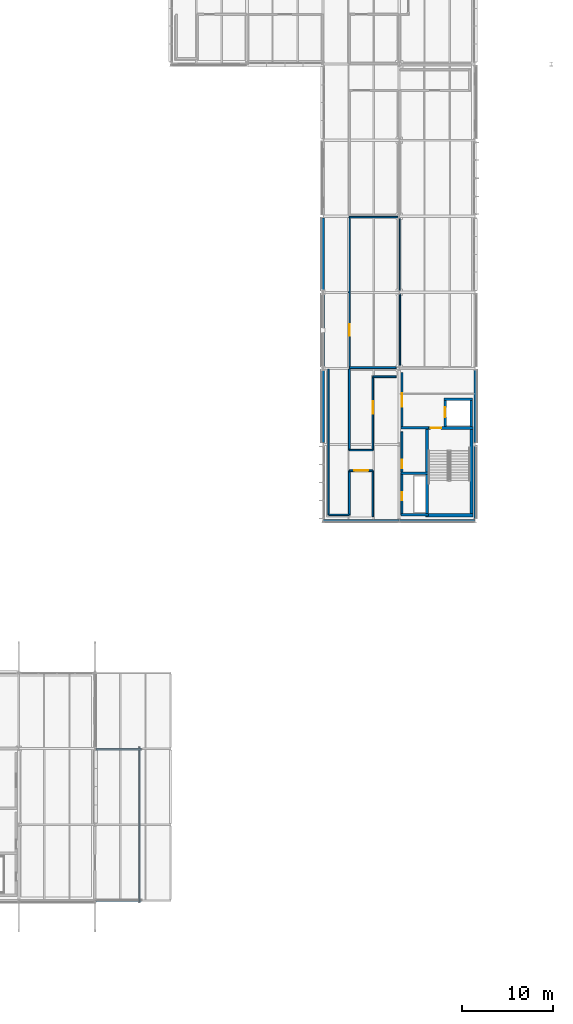
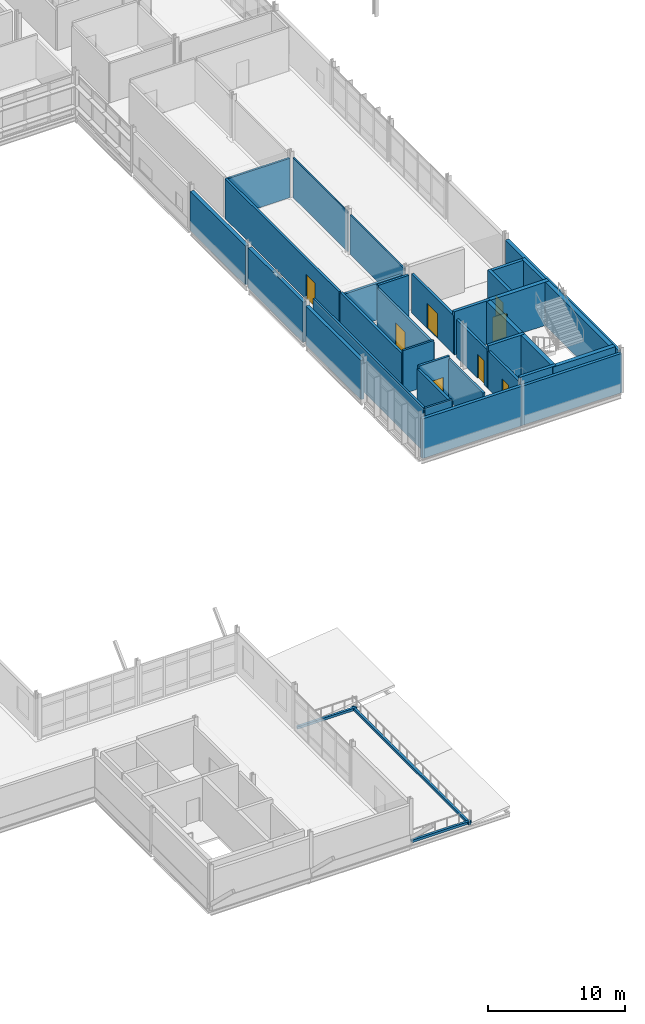
# One storey, part 111 of 131: 37 walls, 8 doors, 8 openings.
"""IFC4 building model written with IfcOpenShell, lengths in metres."""

from ifc_helpers import new_model, si_unit, direction, frame, frame_2d, origin, place, context, subcontext, project, spatial, rectangle, extrude, material, layer, layer_set, type_object, element, fill, save


model = new_model("IFC4")

# Units and contexts
model_context = context("Model", 3, precision=1e-05, world=origin(), true_north=direction((0.0, 1.0)))
body_context = subcontext(model_context, "Body", "Model", "MODEL_VIEW")
ifc_project = project(units=[si_unit("LENGTHUNIT", "METRE"), si_unit("AREAUNIT", "SQUARE_METRE"), si_unit("VOLUMEUNIT", "CUBIC_METRE"), si_unit("PLANEANGLEUNIT", "RADIAN"), si_unit("MASSUNIT", "GRAM", prefix="KILO")], contexts=[model_context])

# Site, building, storey
site_placement = place(None, origin())
site = spatial("IfcSite", under=ifc_project, at=site_placement, CompositionType="ELEMENT")
building_placement = place(site_placement, origin())
building = spatial("IfcBuilding", under=site, at=building_placement, Name="Mersafa Astral City Hall", CompositionType="ELEMENT")
storey_placement = place(building_placement, frame((0.0, 0.0, 13.949951171875)))
storey = spatial("IfcBuildingStorey", under=building, at=storey_placement, Name="L03", CompositionType="ELEMENT", Elevation=13.949951171875)

# Walls
ifc_material_1 = material(Name="Precast concrete C40/50 insulated terracotta spandrel", Category="masonry")
ifc_layer_1 = layer(ifc_material_1, 0.235107421875, Name="Precast concrete C40/50 insulated terracotta spandrel")
ifc_layer_set_1 = layer_set([ifc_layer_1], Name="Precast concrete C40/50 insulated terracotta spandrel — ENV-WAL-EXT-235")
wall_type_1 = type_object("IfcWallType", Name="ENV-WAL-EXT-235", PredefinedType="STANDARD", material=ifc_layer_set_1)
wall_1_placement = place(storey_placement, frame((176.39990234375, 50.595947265625, 0.0), z_axis=(0.0, 0.0, 1.0), x_axis=(0.0, 1.0, 0.0)))
element("IfcWall", 1, at=wall_1_placement, inside=storey, type_object=wall_type_1, Name="L03 Limestone-clad exterior wall 245", PredefinedType="STANDARD", context=body_context, shape_type="SweptSolid", body=[
    extrude(rectangle(XDim=8.008056640625, YDim=0.235107421875, at=frame_2d((4.00390625, 0.0))), origin(), (0.0, 0.0, 1.0), 3.5771484375),
])
ifc_layer_2 = layer(ifc_material_1, 0.25, Name="Precast concrete C40/50 insulated terracotta spandrel")
ifc_layer_set_2 = layer_set([ifc_layer_2], Name="Precast concrete C40/50 insulated terracotta spandrel — ENV-WAL-EXT-250")
wall_type_2 = type_object("IfcWallType", Name="ENV-WAL-EXT-250", PredefinedType="STANDARD", material=ifc_layer_set_2)
wall_2_placement = place(storey_placement, frame((168.008056640625, 50.39990234375, 0.0), z_axis=(0.0, 0.0, 1.0), x_axis=(1.0, 0.0, 0.0)))
element("IfcWall", 2, at=wall_2_placement, inside=storey, type_object=wall_type_2, Name="L03 Limestone-clad exterior wall 244", PredefinedType="STANDARD", context=body_context, shape_type="SweptSolid", body=[
    extrude(rectangle(XDim=8.384033203125, YDim=0.25, at=frame_2d((4.19189453125, 0.0))), origin(), (0.0, 0.0, 1.0), 3.487060546875),
])
ifc_material_2 = material(Name="Precast concrete C40/50 insulated limestone wall", Category="masonry")
ifc_layer_3 = layer(ifc_material_2, 0.264892578125, Name="Precast concrete C40/50 insulated limestone wall")
ifc_layer_set_3 = layer_set([ifc_layer_3], Name="Precast concrete C40/50 insulated limestone wall — ENV-WAL-EXT-265")
wall_type_3 = type_object("IfcWallType", Name="ENV-WAL-EXT-265", PredefinedType="STANDARD", material=ifc_layer_set_3)
wall_3_placement = place(storey_placement, frame((159.60791015625, 50.39990234375, 0.0), z_axis=(0.0, 0.0, 1.0), x_axis=(1.0, 0.0, 0.0)))
element("IfcWall", 3, at=wall_3_placement, inside=storey, type_object=wall_type_3, Name="L03 Limestone-clad exterior wall 243", PredefinedType="STANDARD", context=body_context, shape_type="SweptSolid", body=[
    extrude(rectangle(XDim=8.384033203125, YDim=0.264892578125, at=frame_2d((4.19189453125, 0.0))), origin(), (0.0, 0.0, 1.0), 3.51708984375),
])
ifc_layer_4 = layer(ifc_material_2, 0.280029296875, Name="Precast concrete C40/50 insulated limestone wall")
ifc_layer_set_4 = layer_set([ifc_layer_4], Name="Precast concrete C40/50 insulated limestone wall — ENV-WAL-EXT-280")
wall_type_4 = type_object("IfcWallType", Name="ENV-WAL-EXT-280", PredefinedType="STANDARD", material=ifc_layer_set_4)
wall_4_placement = place(storey_placement, frame((159.60009765625, 67.00390625, 0.0), z_axis=(0.0, 0.0, 1.0), x_axis=(0.0, -1.0, 0.0)))
element("IfcWall", 4, at=wall_4_placement, inside=storey, type_object=wall_type_4, Name="L03 Limestone-clad exterior wall 242", PredefinedType="STANDARD", context=body_context, shape_type="SweptSolid", body=[
    extrude(rectangle(XDim=8.0078125, YDim=0.280029296875, at=frame_2d((4.00390625, 0.0))), origin(), (0.0, 0.0, 1.0), 3.487060546875),
])
ifc_layer_5 = layer(ifc_material_2, 0.294921875, Name="Precast concrete C40/50 insulated limestone wall")
ifc_layer_set_5 = layer_set([ifc_layer_5], Name="Precast concrete C40/50 insulated limestone wall — ENV-WAL-EXT-295")
wall_type_5 = type_object("IfcWallType", Name="ENV-WAL-EXT-295", PredefinedType="STANDARD", material=ifc_layer_set_5)
wall_5_placement = place(storey_placement, frame((159.60009765625, 75.404052734375, 0.0), z_axis=(0.0, 0.0, 1.0), x_axis=(0.0, -1.0, 0.0)))
element("IfcWall", 5, at=wall_5_placement, inside=storey, type_object=wall_type_5, Name="L03 Limestone-clad exterior wall 241", PredefinedType="STANDARD", context=body_context, shape_type="SweptSolid", body=[
    extrude(rectangle(XDim=8.008056640625, YDim=0.294921875, at=frame_2d((4.00390625, 0.0))), origin(), (0.0, 0.0, 1.0), 3.5771484375),
])
ifc_layer_6 = layer(ifc_material_2, 0.31005859375, Name="Precast concrete C40/50 insulated limestone wall")
ifc_layer_set_6 = layer_set([ifc_layer_6], Name="Precast concrete C40/50 insulated limestone wall — ENV-WAL-EXT-310")
wall_type_6 = type_object("IfcWallType", Name="ENV-WAL-EXT-310", PredefinedType="STANDARD", material=ifc_layer_set_6)
wall_6_placement = place(storey_placement, frame((159.60009765625, 83.833984375, 0.0), z_axis=(0.0, 0.0, 1.0), x_axis=(0.0, -1.0, 0.0)))
element("IfcWall", 6, at=wall_6_placement, inside=storey, type_object=wall_type_6, Name="L03 Limestone-clad exterior wall 240", PredefinedType="STANDARD", context=body_context, shape_type="SweptSolid", body=[
    extrude(rectangle(XDim=8.0380859375, YDim=0.31005859375, at=frame_2d((4.01904296875, 0.0))), origin(), (0.0, 0.0, 1.0), 3.487060546875),
])
wall_7_placement = place(storey_placement, frame((176.39990234375, 58.99609375, 0.0), z_axis=(0.0, 0.0, 1.0), x_axis=(0.0, 1.0, 0.0)))
element("IfcWall", 7, at=wall_7_placement, inside=storey, type_object=wall_type_6, Name="L03 Limestone-clad exterior wall 246", PredefinedType="STANDARD", context=body_context, shape_type="SweptSolid", body=[
    extrude(rectangle(XDim=8.0078125, YDim=0.31005859375, at=frame_2d((4.00390625, 0.0))), origin(), (0.0, 0.0, 1.0), 3.487060546875),
])
ifc_material_3 = material(Name="Precast concrete C40/50 parapet", Category="concrete")
ifc_layer_7 = layer(ifc_material_3, 0.199951171875, Name="Precast concrete C40/50 parapet")
ifc_layer_set_7 = layer_set([ifc_layer_7], Name="Precast concrete C40/50 parapet — ENV-WAL-PAR-200")
wall_type_7 = type_object("IfcWallType", Name="ENV-WAL-PAR-200", PredefinedType="PARAPET", material=ifc_layer_set_7)
for number, where, z_axis, x_axis, name in (
    (8, (139.5400390625, 25.1298828125, 0.0), (0.0, 0.0, 1.0), (-1.0, 0.0, 0.0), "L03 Terrace stone kerb parapet 3"),
    (9, (134.5400390625, 8.469970703125, 0.0), (0.0, 0.0, 1.0), (1.0, 0.0, 0.0), "L03 Terrace stone kerb parapet 4"),
):
    element("IfcWall", number, at=place(storey_placement, frame(where, z_axis=z_axis, x_axis=x_axis)), inside=storey, type_object=wall_type_7, Name=name, PredefinedType="PARAPET", context=body_context, shape_type="SweptSolid", body=[
        extrude(rectangle(XDim=5.0, YDim=0.199951171875, at=frame_2d((2.5, 0.0))), origin(), (0.0, 0.0, 1.0), 0.219970703125),
    ])
wall_8_placement = place(storey_placement, frame((139.330078125, 8.260009765625, 0.0), z_axis=(0.0, 0.0, 1.0), x_axis=(0.0, 1.0, 0.0)))
element("IfcWall", 10, at=wall_8_placement, inside=storey, type_object=wall_type_7, Name="L03 Terrace stone kerb parapet 5", PredefinedType="PARAPET", context=body_context, shape_type="SweptSolid", body=[
    extrude(rectangle(XDim=17.080078125, YDim=0.199951171875, at=frame_2d((8.5400390625, 0.0))), origin(), (0.0, 0.0, 1.0), 0.219970703125),
])
ifc_material_4 = material(Name="Concrete C40/50", Category="concrete")
ifc_layer_8 = layer(ifc_material_4, 0.260009765625, Name="Concrete C40/50")
ifc_layer_set_8 = layer_set([ifc_layer_8], Name="Concrete C40/50 — INT-WAL-CORE-260")
wall_type_8 = type_object("IfcWallType", Name="INT-WAL-CORE-260", PredefinedType="SHEAR", material=ifc_layer_set_8)
wall_9_placement = place(storey_placement, frame((172.955078125, 63.784912109375, 0.0), z_axis=(0.0, 0.0, 1.0), x_axis=(1.0, 0.0, 0.0)))
element("IfcWall", 11, at=wall_9_placement, inside=storey, type_object=wall_type_8, Name="L03 Lift LF6 north shaft wall", PredefinedType="SHEAR", context=body_context, shape_type="SweptSolid", body=[
    extrude(rectangle(XDim=3.1298828125, YDim=0.260009765625, at=frame_2d((1.56494140625, 0.0))), origin(), (0.0, 0.0, 1.0), 3.85009765625),
])
wall_10_placement = place(storey_placement, frame((175.955078125, 60.797119140625, 0.0), z_axis=(0.0, 0.0, 1.0), x_axis=(0.0, 1.0, 0.0)))
element("IfcWall", 12, at=wall_10_placement, inside=storey, type_object=wall_type_8, Name="L03 Lift LF6 back shaft wall", PredefinedType="SHEAR", context=body_context, shape_type="SweptSolid", body=[
    extrude(rectangle(XDim=3.117919921875, YDim=0.260009765625, at=frame_2d((1.55908203125, 0.0))), origin(), (0.0, 0.0, 1.0), 3.85009765625),
])

# Wall, opening, door
wall_11_placement = place(storey_placement, frame((173.0849609375, 60.797119140625, 0.0), z_axis=(0.0, 0.0, 1.0), x_axis=(0.0, 1.0, 0.0)))
wall_11 = element("IfcWall", 13, at=wall_11_placement, inside=storey, type_object=wall_type_8, Name="L03 Lift LF6 front shaft wall", PredefinedType="SHEAR", context=body_context, shape_type="SweptSolid", body=[
    extrude(rectangle(XDim=3.117919921875, YDim=0.260009765625, at=frame_2d((1.55908203125, 0.0))), origin(), (0.0, 0.0, 1.0), 3.85009765625),
])
opening_1_placement = place(wall_11_placement, frame((1.009033203125, 0.0, 0.0)))
opening_1 = element("IfcOpeningElement", 14, at=opening_1_placement, cuts=wall_11, Name="Opening LD-1", PredefinedType="OPENING", context=body_context, shape_type="SweptSolid", body=[
    extrude(rectangle(XDim=1.10009765625, YDim=2.14990234375, at=frame_2d((0.550048828125, 1.074951171875))), frame((0.0, 0.139892578125, 0.0), z_axis=(0.0, -1.0, 0.0), x_axis=(1.0, 0.0, 0.0)), (0.0, 0.0, 1.0), 0.280029296875),
])
ifc_material_5 = material(Name="Stainless steel sliding lift landing door", Category="steel")
door_type_1 = type_object("IfcDoorType", Name="INT-DR-LIFT-LD1", OperationType="NOTDEFINED", PredefinedType="DOOR", material=ifc_material_5)
door_1_placement = place(opening_1_placement, origin())
door_1 = element("IfcDoor", 15, at=door_1_placement, inside=storey, type_object=door_type_1, Name="Elevator LF6 Sliding Landing Door L03", OperationType="DOUBLE_DOOR_SLIDING", OverallHeight=2.14990234375, OverallWidth=1.10009765625, PredefinedType="DOOR", context=body_context, shape_type="SweptSolid", body=[
    extrude(rectangle(XDim=1.10009765625, YDim=2.14990234375, at=frame_2d((0.550048828125, 1.074951171875))), frame((0.0, 0.02490234375, 0.0), z_axis=(0.0, -1.0, 0.0), x_axis=(1.0, 0.0, 0.0)), (0.0, 0.0, 1.0), 0.050048828125),
])
fill(opening_1, door_1)

# Walls
for number, where, z_axis, x_axis, name in (
    (16, (168.199951171875, 51.02001953125, 0.0), (0.0, 0.0, 1.0), (1.0, 0.0, 0.0), "L03 Core K4 riser south wall"),
    (17, (168.199951171875, 55.635009765625, 0.0), (0.0, 0.0, 1.0), (1.0, 0.0, 0.0), "L03 Core K4 riser-restroom divider wall"),
    (18, (168.199951171875, 60.635009765625, 0.0), (0.0, 0.0, 1.0), (1.0, 0.0, 0.0), "L03 Core K4 restroom-lobby divider wall"),
):
    element("IfcWall", number, at=place(storey_placement, frame(where, z_axis=z_axis, x_axis=x_axis)), inside=storey, type_object=wall_type_8, Name=name, PredefinedType="SHEAR", context=body_context, shape_type="SweptSolid", body=[
        extrude(rectangle(XDim=3.03515625, YDim=0.260009765625, at=frame_2d((1.517578125, 0.0))), origin(), (0.0, 0.0, 1.0), 3.85009765625),
    ])
ifc_layer_9 = layer(ifc_material_4, 0.340087890625, Name="Concrete C40/50")
ifc_layer_set_9 = layer_set([ifc_layer_9], Name="Concrete C40/50 — INT-WAL-CORE-340")
wall_type_9 = type_object("IfcWallType", Name="INT-WAL-CORE-340", PredefinedType="SHEAR", material=ifc_layer_set_9)
for number, where, z_axis, x_axis, name in (
    (19, (171.0849609375, 50.804931640625, 0.0), (0.0, 0.0, 1.0), (0.0, 1.0, 0.0), "L03 Core K4 stair west shear wall"),
    (20, (175.9951171875, 50.804931640625, 0.0), (0.0, 0.0, 1.0), (0.0, 1.0, 0.0), "L03 Core K4 stair east shear wall"),
):
    element("IfcWall", number, at=place(storey_placement, frame(where, z_axis=z_axis, x_axis=x_axis)), inside=storey, type_object=wall_type_9, Name=name, PredefinedType="SHEAR", context=body_context, shape_type="SweptSolid", body=[
        extrude(rectangle(XDim=9.989990234375, YDim=0.340087890625, at=frame_2d((4.9951171875, 0.0))), origin(), (0.0, 0.0, 1.0), 3.85009765625),
    ])
wall_12_placement = place(storey_placement, frame((170.9150390625, 50.97509765625, 0.0), z_axis=(0.0, 0.0, 1.0), x_axis=(1.0, 0.0, 0.0)))
element("IfcWall", 21, at=wall_12_placement, inside=storey, type_object=wall_type_9, Name="L03 Core K4 stair south shear wall", PredefinedType="SHEAR", context=body_context, shape_type="SweptSolid", body=[
    extrude(rectangle(XDim=5.25, YDim=0.340087890625, at=frame_2d((2.625, 0.0))), origin(), (0.0, 0.0, 1.0), 3.85009765625),
])

# Wall, opening, door
wall_13_placement = place(storey_placement, frame((170.9150390625, 60.625, 0.0), z_axis=(0.0, 0.0, 1.0), x_axis=(1.0, 0.0, 0.0)))
wall_13 = element("IfcWall", 22, at=wall_13_placement, inside=storey, type_object=wall_type_9, Name="L03 Core K4 stair-lobby fire wall", PredefinedType="SHEAR", context=body_context, shape_type="SweptSolid", body=[
    extrude(rectangle(XDim=5.25, YDim=0.340087890625, at=frame_2d((2.625, 0.0))), origin(), (0.0, 0.0, 1.0), 3.85009765625),
])
opening_2_placement = place(wall_13_placement, frame((0.56494140625, 0.0, 0.0)))
opening_2 = element("IfcOpeningElement", 23, at=opening_2_placement, cuts=wall_13, Name="Opening CD-1", PredefinedType="OPENING", context=body_context, shape_type="SweptSolid", body=[
    extrude(rectangle(XDim=1.14990234375, YDim=2.14990234375, at=frame_2d((0.574951171875, 1.074951171875))), frame((0.0, 0.179931640625, 0.0), z_axis=(0.0, -1.0, 0.0), x_axis=(1.0, 0.0, 0.0)), (0.0, 0.0, 1.0), 0.360107421875),
])
ifc_material_6 = material(Name="Fire-rated steel stair door", Category="steel")
door_type_2 = type_object("IfcDoorType", Name="INT-DR-STAIR-FD90-1150", OperationType="NOTDEFINED", PredefinedType="DOOR", material=ifc_material_6)
door_2_placement = place(opening_2_placement, origin())
door_2 = element("IfcDoor", 24, at=door_2_placement, inside=storey, type_object=door_type_2, Name="L03 Protected Stair ST4 Door", OperationType="SINGLE_SWING_LEFT", OverallHeight=2.14990234375, OverallWidth=1.14990234375, PredefinedType="DOOR", context=body_context, shape_type="SweptSolid", body=[
    extrude(rectangle(XDim=1.14990234375, YDim=2.14990234375, at=frame_2d((0.574951171875, 1.074951171875))), frame((0.0, 0.02490234375, 0.0), z_axis=(0.0, -1.0, 0.0), x_axis=(1.0, 0.0, 0.0)), (0.0, 0.0, 1.0), 0.050048828125),
])
fill(opening_2, door_2)

# Walls
ifc_material_7 = material(Name="Acoustic steel-stud gypsum partition", Category="steel")
ifc_layer_10 = layer(ifc_material_7, 0.1201171875, Name="Acoustic steel-stud gypsum partition")
ifc_layer_set_10 = layer_set([ifc_layer_10], Name="Acoustic steel-stud gypsum partition — INT-WAL-PART-EI30-120")
wall_type_10 = type_object("IfcWallType", Name="INT-WAL-PART-EI30-120", PredefinedType="STANDARD", material=ifc_layer_set_10)
wall_14_placement = place(storey_placement, frame((168.090087890625, 75.77392578125, -0.00390625), z_axis=(0.0, 0.0, 1.0), x_axis=(0.0, 1.0, 0.0)))
element("IfcWall", 25, at=wall_14_placement, inside=storey, type_object=wall_type_10, Name="L03 Interior partition wall 554", PredefinedType="STANDARD", context=body_context, shape_type="SweptSolid", body=[
    extrude(rectangle(XDim=7.966064453125, YDim=0.1201171875, at=frame_2d((3.98291015625, 0.0))), origin(), (0.0, 0.0, 1.0), 3.541015625),
])
ifc_layer_11 = layer(ifc_material_7, 0.135009765625, Name="Acoustic steel-stud gypsum partition")
ifc_layer_set_11 = layer_set([ifc_layer_11], Name="Acoustic steel-stud gypsum partition — INT-WAL-PART-EI30-135")
wall_type_11 = type_object("IfcWallType", Name="INT-WAL-PART-EI30-135", PredefinedType="STANDARD", material=ifc_layer_set_11)
wall_15_placement = place(storey_placement, frame((168.090087890625, 67.5400390625, -0.00390625), z_axis=(0.0, 0.0, 1.0), x_axis=(0.0, 1.0, 0.0)))
element("IfcWall", 26, at=wall_15_placement, inside=storey, type_object=wall_type_11, Name="L03 Interior partition wall 553", PredefinedType="STANDARD", context=body_context, shape_type="SweptSolid", body=[
    extrude(rectangle(XDim=7.885986328125, YDim=0.135009765625, at=frame_2d((3.94287109375, 0.0))), origin(), (0.0, 0.0, 1.0), 3.5009765625),
])
ifc_material_8 = material(Name="Fire-rated gypsum stud partition", Category="gypsum")
ifc_layer_12 = layer(ifc_material_8, 0.1650390625, Name="Fire-rated gypsum stud partition")
ifc_layer_set_12 = layer_set([ifc_layer_12], Name="Fire-rated gypsum stud partition — INT-WAL-PART-EI60-165")
wall_type_12 = type_object("IfcWallType", Name="INT-WAL-PART-EI60-165", PredefinedType="STANDARD", material=ifc_layer_set_12)
wall_16_placement = place(storey_placement, frame((162.5, 83.909912109375, -0.00390625), z_axis=(0.0, 0.0, 1.0), x_axis=(1.0, 0.0, 0.0)))
element("IfcWall", 27, at=wall_16_placement, inside=storey, type_object=wall_type_12, Name="L03 Interior partition wall 567", PredefinedType="STANDARD", context=body_context, shape_type="SweptSolid", body=[
    extrude(rectangle(XDim=5.325927734375, YDim=0.1650390625, at=frame_2d((2.6630859375, 0.0))), origin(), (0.0, 0.0, 1.0), 3.505859375),
])
wall_17_placement = place(storey_placement, frame((165.10009765625, 58.179931640625, -0.00390625), z_axis=(0.0, 0.0, 1.0), x_axis=(-1.0, 0.0, 0.0)))
element("IfcWall", 28, at=wall_17_placement, inside=storey, type_object=wall_type_12, Name="L03 Interior partition wall 659", PredefinedType="STANDARD", context=body_context, shape_type="SweptSolid", body=[
    extrude(rectangle(XDim=2.60009765625, YDim=0.1650390625, at=frame_2d((1.300048828125, 0.0))), origin(), (0.0, 0.0, 1.0), 3.85400390625),
])
wall_18_placement = place(storey_placement, frame((160.219970703125, 51.02001953125, -0.00390625), z_axis=(0.0, 0.0, 1.0), x_axis=(1.0, 0.0, 0.0)))
element("IfcWall", 29, at=wall_18_placement, inside=storey, type_object=wall_type_12, Name="L03 Interior partition wall 663", PredefinedType="STANDARD", context=body_context, shape_type="SweptSolid", body=[
    extrude(rectangle(XDim=2.280029296875, YDim=0.1650390625, at=frame_2d((1.14013671875, 0.0))), origin(), (0.0, 0.0, 1.0), 3.85400390625),
])

# Wall, opening, door
ifc_material_9 = material(Name="Acoustic twin-stud gypsum partition", Category="gypsum")
ifc_layer_13 = layer(ifc_material_9, 0.179931640625, Name="Acoustic twin-stud gypsum partition")
ifc_layer_set_13 = layer_set([ifc_layer_13], Name="Acoustic twin-stud gypsum partition — INT-WAL-PART-EI60-180")
wall_type_13 = type_object("IfcWallType", Name="INT-WAL-PART-EI60-180", PredefinedType="STANDARD", material=ifc_layer_set_13)
wall_19_placement = place(storey_placement, frame((165.10009765625, 66.280029296875, -0.00390625), z_axis=(0.0, 0.0, 1.0), x_axis=(0.0, -1.0, 0.0)))
wall_19 = element("IfcWall", 30, at=wall_19_placement, inside=storey, type_object=wall_type_13, Name="L03 Interior partition wall 658", PredefinedType="STANDARD", context=body_context, shape_type="SweptSolid", body=[
    extrude(rectangle(XDim=8.10009765625, YDim=0.179931640625, at=frame_2d((4.050048828125, 0.0))), origin(), (0.0, 0.0, 1.0), 3.61083984375),
])
opening_3_placement = place(wall_19_placement, frame((2.701904296875, 0.0, 0.0)))
opening_3 = element("IfcOpeningElement", 31, at=opening_3_placement, cuts=wall_19, Name="Opening D-16", PredefinedType="OPENING", context=body_context, shape_type="SweptSolid", body=[
    extrude(rectangle(XDim=1.39990234375, YDim=2.139892578125, at=frame_2d((0.699951171875, 1.06982421875))), frame((0.0, 0.099853515625, 0.0), z_axis=(0.0, -1.0, 0.0), x_axis=(1.0, 0.0, 0.0)), (0.0, 0.0, 1.0), 0.199951171875),
])
ifc_material_10 = material(Name="Cedar veneered acoustic fire-rated timber door", Category="wood")
door_type_3 = type_object("IfcDoorType", Name="INT-DR-RM-D-16", OperationType="NOTDEFINED", PredefinedType="DOOR", material=ifc_material_10)
door_3_placement = place(opening_3_placement, origin())
door_3 = element("IfcDoor", 32, at=door_3_placement, inside=storey, type_object=door_type_3, Name="L03 Standing Committee Room L03-32 Entrance Door", OperationType="SINGLE_SWING_RIGHT", OverallHeight=2.139892578125, OverallWidth=1.39990234375, PredefinedType="DOOR", context=body_context, shape_type="SweptSolid", body=[
    extrude(rectangle(XDim=1.39990234375, YDim=2.139892578125, at=frame_2d((0.699951171875, 1.06982421875))), frame((0.0, 0.02490234375, 0.0), z_axis=(0.0, -1.0, 0.0), x_axis=(1.0, 0.0, 0.0)), (0.0, 0.0, 1.0), 0.050048828125),
])
fill(opening_3, door_3)

# Walls
wall_20_placement = place(storey_placement, frame((160.219970703125, 67.110107421875, -0.00390625), z_axis=(0.0, 0.0, 1.0), x_axis=(0.0, -1.0, 0.0)))
element("IfcWall", 33, at=wall_20_placement, inside=storey, type_object=wall_type_13, Name="L03 Interior partition wall 662", PredefinedType="STANDARD", context=body_context, shape_type="SweptSolid", body=[
    extrude(rectangle(XDim=16.090087890625, YDim=0.179931640625, at=frame_2d((8.044921875, 0.0))), origin(), (0.0, 0.0, 1.0), 3.85400390625),
])
wall_21_placement = place(storey_placement, frame((165.10009765625, 55.89990234375, -0.00390625), z_axis=(0.0, 0.0, 1.0), x_axis=(0.0, -1.0, 0.0)))
element("IfcWall", 34, at=wall_21_placement, inside=storey, type_object=wall_type_13, Name="L03 Interior partition wall 666", PredefinedType="STANDARD", context=body_context, shape_type="SweptSolid", body=[
    extrude(rectangle(XDim=5.079833984375, YDim=0.179931640625, at=frame_2d((2.5400390625, 0.0))), origin(), (0.0, 0.0, 1.0), 3.61083984375),
])

# Wall, opening, door
ifc_layer_14 = layer(ifc_material_9, 0.195068359375, Name="Acoustic twin-stud gypsum partition")
ifc_layer_set_14 = layer_set([ifc_layer_14], Name="Acoustic twin-stud gypsum partition — INT-WAL-PART-EI60-195")
wall_type_14 = type_object("IfcWallType", Name="INT-WAL-PART-EI60-195", PredefinedType="STANDARD", material=ifc_layer_set_14)
wall_22_placement = place(storey_placement, frame((162.5, 67.2900390625, -0.00390625), z_axis=(0.0, 0.0, 1.0), x_axis=(0.0, 1.0, 0.0)))
wall_22 = element("IfcWall", 35, at=wall_22_placement, inside=storey, type_object=wall_type_14, Name="L03 Interior partition wall 569", PredefinedType="STANDARD", context=body_context, shape_type="SweptSolid", body=[
    extrude(rectangle(XDim=16.619873046875, YDim=0.195068359375, at=frame_2d((8.31005859375, 0.0))), origin(), (0.0, 0.0, 1.0), 3.551025390625),
])
opening_4_placement = place(wall_22_placement, frame((3.514892578125, 0.0, 0.0)))
opening_4 = element("IfcOpeningElement", 36, at=opening_4_placement, cuts=wall_22, Name="Opening D-24", PredefinedType="OPENING", context=body_context, shape_type="SweptSolid", body=[
    extrude(rectangle(XDim=1.280029296875, YDim=2.219970703125, at=frame_2d((0.64013671875, 1.10986328125))), frame((0.0, 0.107421875, 0.0), z_axis=(0.0, -1.0, 0.0), x_axis=(1.0, 0.0, 0.0)), (0.0, 0.0, 1.0), 0.215087890625),
])
door_type_4 = type_object("IfcDoorType", Name="INT-DR-RM-D-24", OperationType="NOTDEFINED", PredefinedType="DOOR", material=ifc_material_10)
door_4_placement = place(opening_4_placement, origin())
door_4 = element("IfcDoor", 37, at=door_4_placement, inside=storey, type_object=door_type_4, Name="L03 Municipal Finance & Treasury Office L03-04 Entrance Door", OperationType="SINGLE_SWING_RIGHT", OverallHeight=2.219970703125, OverallWidth=1.280029296875, PredefinedType="DOOR", context=body_context, shape_type="SweptSolid", body=[
    extrude(rectangle(XDim=1.280029296875, YDim=2.219970703125, at=frame_2d((0.64013671875, 1.10986328125))), frame((0.0, 0.02490234375, 0.0), z_axis=(0.0, -1.0, 0.0), x_axis=(1.0, 0.0, 0.0)), (0.0, 0.0, 1.0), 0.050048828125),
])
fill(opening_4, door_4)

# Wall
wall_23_placement = place(storey_placement, frame((167.659912109375, 66.280029296875, -0.00390625), z_axis=(0.0, 0.0, 1.0), x_axis=(-1.0, 0.0, 0.0)))
element("IfcWall", 38, at=wall_23_placement, inside=storey, type_object=wall_type_14, Name="L03 Interior partition wall 661", PredefinedType="STANDARD", context=body_context, shape_type="SweptSolid", body=[
    extrude(rectangle(XDim=2.559814453125, YDim=0.195068359375, at=frame_2d((1.27978515625, 0.0))), origin(), (0.0, 0.0, 1.0), 3.85400390625),
])

# Wall, opening, door
wall_24_placement = place(storey_placement, frame((162.5, 55.89990234375, -0.00390625), z_axis=(0.0, 0.0, 1.0), x_axis=(1.0, 0.0, 0.0)))
wall_24 = element("IfcWall", 39, at=wall_24_placement, inside=storey, type_object=wall_type_14, Name="L03 Interior partition wall 665", PredefinedType="STANDARD", context=body_context, shape_type="SweptSolid", body=[
    extrude(rectangle(XDim=2.60009765625, YDim=0.195068359375, at=frame_2d((1.300048828125, 0.0))), origin(), (0.0, 0.0, 1.0), 3.85400390625),
])
opening_5_placement = place(wall_24_placement, frame((0.530029296875, 0.0, 0.0)))
opening_5 = element("IfcOpeningElement", 40, at=opening_5_placement, cuts=wall_24, Name="Opening D-17", PredefinedType="OPENING", context=body_context, shape_type="SweptSolid", body=[
    extrude(rectangle(XDim=1.5400390625, YDim=2.139892578125, at=frame_2d((0.77001953125, 1.06982421875))), frame((0.0, 0.107421875, 0.0), z_axis=(0.0, -1.0, 0.0), x_axis=(1.0, 0.0, 0.0)), (0.0, 0.0, 1.0), 0.215087890625),
])
door_type_5 = type_object("IfcDoorType", Name="INT-DR-RM-D-17", OperationType="NOTDEFINED", PredefinedType="DOOR", material=ifc_material_10)
door_5_placement = place(opening_5_placement, origin())
door_5 = element("IfcDoor", 41, at=door_5_placement, inside=storey, type_object=door_type_5, Name="L03 Legal Counsel & Legislation Office L03-33 Entrance Door", OperationType="SINGLE_SWING_LEFT", OverallHeight=2.139892578125, OverallWidth=1.5400390625, PredefinedType="DOOR", context=body_context, shape_type="SweptSolid", body=[
    extrude(rectangle(XDim=1.5400390625, YDim=2.139892578125, at=frame_2d((0.77001953125, 1.06982421875))), frame((0.0, 0.02490234375, 0.0), z_axis=(0.0, -1.0, 0.0), x_axis=(1.0, 0.0, 0.0)), (0.0, 0.0, 1.0), 0.050048828125),
])
fill(opening_5, door_5)

ifc_material_11 = material(Name="Autoclaved aerated concrete blockwork plastered", Category="masonry")
ifc_layer_15 = layer(ifc_material_11, 0.2099609375, Name="Autoclaved aerated concrete blockwork plastered")
ifc_layer_set_15 = layer_set([ifc_layer_15], Name="Autoclaved aerated concrete blockwork plastered — INT-WAL-PART-EI60-210")
wall_type_15 = type_object("IfcWallType", Name="INT-WAL-PART-EI60-210", PredefinedType="STANDARD", material=ifc_layer_set_15)
wall_25_placement = place(storey_placement, frame((168.300048828125, 51.02001953125, 0.0), z_axis=(0.0, 0.0, 1.0), x_axis=(0.0, 1.0, 0.0)))
wall_25 = element("IfcWall", 42, at=wall_25_placement, inside=storey, type_object=wall_type_15, Name="L03 Core K4 riser corridor partition", PredefinedType="STANDARD", context=body_context, shape_type="SweptSolid", body=[
    extrude(rectangle(XDim=4.590087890625, YDim=0.2099609375, at=frame_2d((2.294921875, 0.0))), origin(), (0.0, 0.0, 1.0), 3.35693359375),
])
opening_6_placement = place(wall_25_placement, frame((1.60009765625, 0.0, 0.0)))
opening_6 = element("IfcOpeningElement", 43, at=opening_6_placement, cuts=wall_25, Name="Opening CD-5", PredefinedType="OPENING", context=body_context, shape_type="SweptSolid", body=[
    extrude(rectangle(XDim=0.89990234375, YDim=2.10009765625, at=frame_2d((0.449951171875, 1.050048828125))), frame((0.0, 0.114990234375, 0.0), z_axis=(0.0, -1.0, 0.0), x_axis=(1.0, 0.0, 0.0)), (0.0, 0.0, 1.0), 0.22998046875),
])
ifc_material_12 = material(Name="Fire-rated steel riser access door", Category="steel")
door_type_6 = type_object("IfcDoorType", Name="INT-DR-RISER-FD60-900", OperationType="NOTDEFINED", PredefinedType="DOOR", material=ifc_material_12)
door_6_placement = place(opening_6_placement, origin())
door_6 = element("IfcDoor", 44, at=door_6_placement, inside=storey, type_object=door_type_6, Name="L03 K4 MEP Riser Access Door", OperationType="SINGLE_SWING_LEFT", OverallHeight=2.10009765625, OverallWidth=0.89990234375, PredefinedType="DOOR", context=body_context, shape_type="SweptSolid", body=[
    extrude(rectangle(XDim=0.89990234375, YDim=2.10009765625, at=frame_2d((0.449951171875, 1.050048828125))), frame((0.0, 0.02490234375, 0.0), z_axis=(0.0, -1.0, 0.0), x_axis=(1.0, 0.0, 0.0)), (0.0, 0.0, 1.0), 0.050048828125),
])
fill(opening_6, door_6)

wall_26_placement = place(storey_placement, frame((168.300048828125, 55.719970703125, 0.0), z_axis=(0.0, 0.0, 1.0), x_axis=(0.0, 1.0, 0.0)))
wall_26 = element("IfcWall", 45, at=wall_26_placement, inside=storey, type_object=wall_type_15, Name="L03 Core K4 accessible WC corridor partition", PredefinedType="STANDARD", context=body_context, shape_type="SweptSolid", body=[
    extrude(rectangle(XDim=4.47998046875, YDim=0.2099609375, at=frame_2d((2.239990234375, 0.0))), origin(), (0.0, 0.0, 1.0), 3.35693359375),
])
opening_7_placement = place(wall_26_placement, frame((0.449951171875, 0.0, 0.0)))
opening_7 = element("IfcOpeningElement", 46, at=opening_7_placement, cuts=wall_26, Name="Opening CD-4", PredefinedType="OPENING", context=body_context, shape_type="SweptSolid", body=[
    extrude(rectangle(XDim=0.949951171875, YDim=2.14990234375, at=frame_2d((0.47509765625, 1.074951171875))), frame((0.0, 0.114990234375, 0.0), z_axis=(0.0, -1.0, 0.0), x_axis=(1.0, 0.0, 0.0)), (0.0, 0.0, 1.0), 0.22998046875),
])
ifc_material_13 = material(Name="Accessible timber acoustic WC door", Category="wood")
door_type_7 = type_object("IfcDoorType", Name="INT-DR-WC-FD30-950", OperationType="NOTDEFINED", PredefinedType="DOOR", material=ifc_material_13)
door_7_placement = place(opening_7_placement, origin())
door_7 = element("IfcDoor", 47, at=door_7_placement, inside=storey, type_object=door_type_7, Name="L03 K4 Accessible Restroom Door", OperationType="SINGLE_SWING_RIGHT", OverallHeight=2.14990234375, OverallWidth=0.949951171875, PredefinedType="DOOR", context=body_context, shape_type="SweptSolid", body=[
    extrude(rectangle(XDim=0.949951171875, YDim=2.14990234375, at=frame_2d((0.47509765625, 1.074951171875))), frame((0.0, 0.02490234375, 0.0), z_axis=(0.0, -1.0, 0.0), x_axis=(1.0, 0.0, 0.0)), (0.0, 0.0, 1.0), 0.050048828125),
])
fill(opening_7, door_7)

wall_27_placement = place(storey_placement, frame((168.300048828125, 60.639892578125, 0.0), z_axis=(0.0, 0.0, 1.0), x_axis=(0.0, 1.0, 0.0)))
wall_27 = element("IfcWall", 48, at=wall_27_placement, inside=storey, type_object=wall_type_15, Name="L03 Core K4 lobby corridor partition", PredefinedType="STANDARD", context=body_context, shape_type="SweptSolid", body=[
    extrude(rectangle(XDim=6.1201171875, YDim=0.2099609375, at=frame_2d((3.06005859375, 0.0))), origin(), (0.0, 0.0, 1.0), 3.447021484375),
])
opening_8_placement = place(wall_27_placement, frame((2.31005859375, 0.0, 0.0)))
opening_8 = element("IfcOpeningElement", 49, at=opening_8_placement, cuts=wall_27, Name="Opening CD-3", PredefinedType="OPENING", context=body_context, shape_type="SweptSolid", body=[
    extrude(rectangle(XDim=1.5, YDim=2.199951171875, at=frame_2d((0.75, 1.10009765625))), frame((0.0, 0.114990234375, 0.0), z_axis=(0.0, -1.0, 0.0), x_axis=(1.0, 0.0, 0.0)), (0.0, 0.0, 1.0), 0.22998046875),
])
ifc_material_14 = material(Name="Fire-rated glazed lobby door pair", Category="metal")
door_type_8 = type_object("IfcDoorType", Name="INT-DR-LOBBY-FD90-1500", OperationType="NOTDEFINED", PredefinedType="DOOR", material=ifc_material_14)
door_8_placement = place(opening_8_placement, origin())
door_8 = element("IfcDoor", 50, at=door_8_placement, inside=storey, type_object=door_type_8, Name="L03 K4 Lift Lobby Fire Door", OperationType="DOUBLE_DOOR_SINGLE_SWING", OverallHeight=2.199951171875, OverallWidth=1.5, PredefinedType="DOOR", context=body_context, shape_type="SweptSolid", body=[
    extrude(rectangle(XDim=1.5, YDim=2.199951171875, at=frame_2d((0.75, 1.10009765625))), frame((0.0, 0.02490234375, 0.0), z_axis=(0.0, -1.0, 0.0), x_axis=(1.0, 0.0, 0.0)), (0.0, 0.0, 1.0), 0.050048828125),
])
fill(opening_8, door_8)

# Walls
wall_28_placement = place(storey_placement, frame((167.66796875, 67.2900390625, -0.00390625), z_axis=(0.0, 0.0, 1.0), x_axis=(-1.0, 0.0, 0.0)))
element("IfcWall", 51, at=wall_28_placement, inside=storey, type_object=wall_type_15, Name="L03 Interior partition wall 568", PredefinedType="STANDARD", context=body_context, shape_type="SweptSolid", body=[
    extrude(rectangle(XDim=5.16796875, YDim=0.2099609375, at=frame_2d((2.583984375, 0.0))), origin(), (0.0, 0.0, 1.0), 3.2509765625),
])
wall_29_placement = place(storey_placement, frame((162.5, 58.179931640625, -0.00390625), z_axis=(0.0, 0.0, 1.0), x_axis=(0.0, 1.0, 0.0)))
element("IfcWall", 52, at=wall_29_placement, inside=storey, type_object=wall_type_15, Name="L03 Interior partition wall 660", PredefinedType="STANDARD", context=body_context, shape_type="SweptSolid", body=[
    extrude(rectangle(XDim=8.93017578125, YDim=0.2099609375, at=frame_2d((4.465087890625, 0.0))), origin(), (0.0, 0.0, 1.0), 3.61083984375),
])
wall_30_placement = place(storey_placement, frame((162.5, 51.02001953125, -0.00390625), z_axis=(0.0, 0.0, 1.0), x_axis=(0.0, 1.0, 0.0)))
element("IfcWall", 53, at=wall_30_placement, inside=storey, type_object=wall_type_15, Name="L03 Interior partition wall 664", PredefinedType="STANDARD", context=body_context, shape_type="SweptSolid", body=[
    extrude(rectangle(XDim=4.8798828125, YDim=0.2099609375, at=frame_2d((2.43994140625, 0.0))), origin(), (0.0, 0.0, 1.0), 3.61083984375),
])

save(model, "model.ifc")
